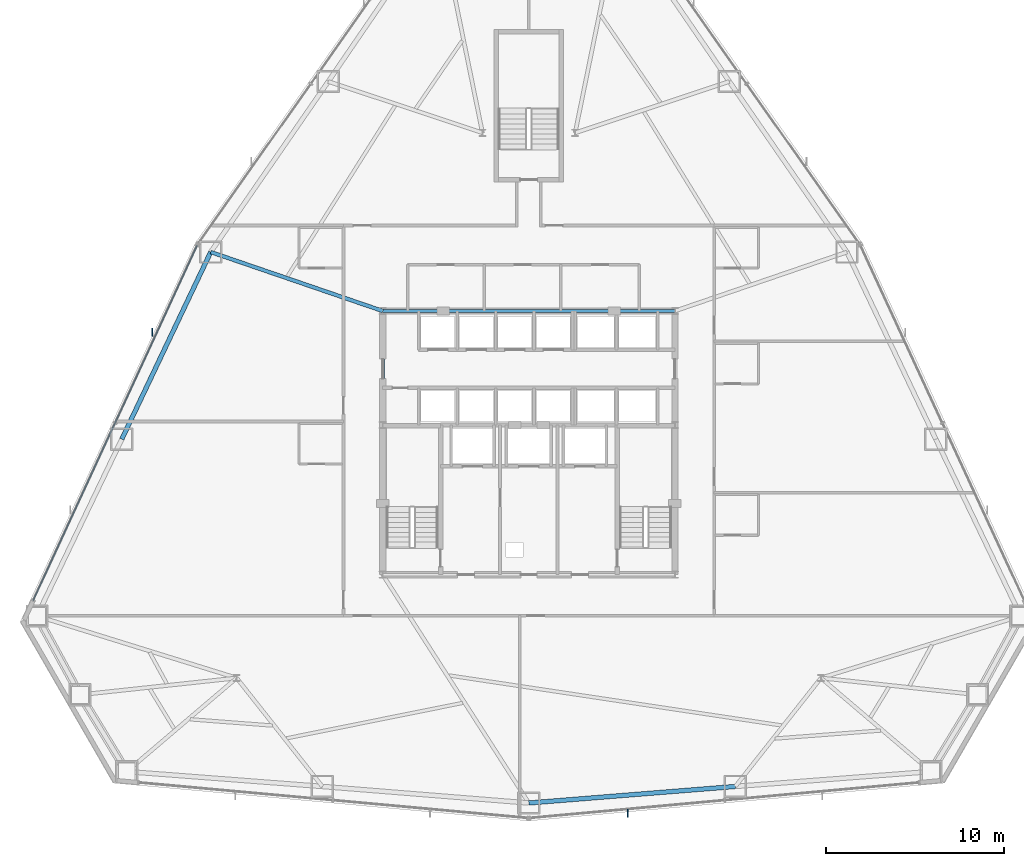
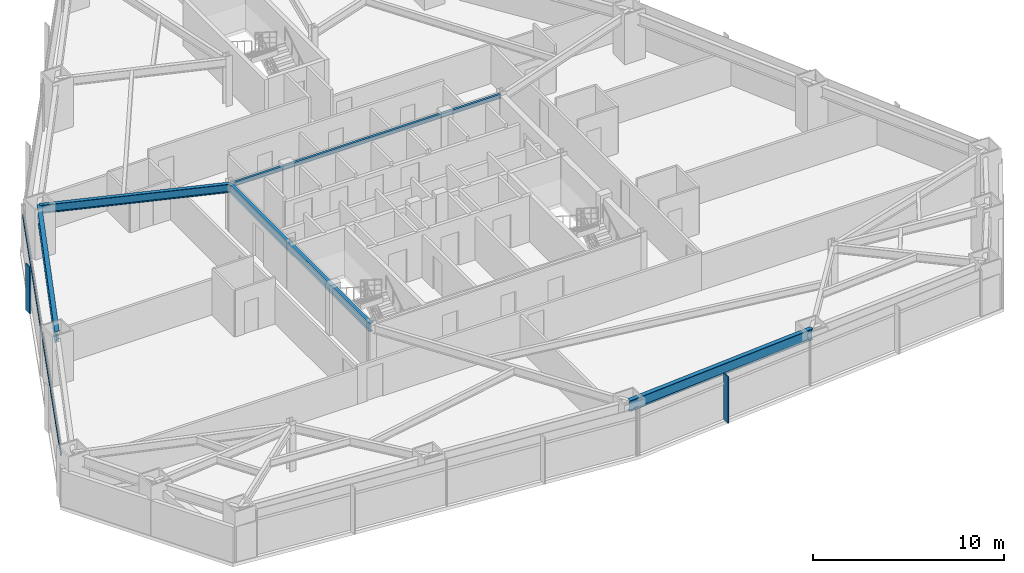
# One storey, part 5 of 12: 5 beams, 3 members, 2 elements without a shape of their own.
"""IFC4 building model written with IfcOpenShell, lengths in metres."""

from ifc_helpers import new_model, si_unit, direction, frame, origin, origin_2d, place, context, subcontext, project, spatial, rectangle, i_section, extrude, source, transform, mapped, material, layer, layer_set, material_profile, profile_set, type_object, type_shapes, element, aggregate, save


model = new_model("IFC4")

# Units and contexts
model_context = context("Model", 3, precision=1e-05, world=origin(), true_north=direction((0.0, 1.0)))
body_context = subcontext(model_context, "Body", "Model", "MODEL_VIEW")
ifc_project = project(units=[si_unit("LENGTHUNIT", "METRE"), si_unit("AREAUNIT", "SQUARE_METRE"), si_unit("VOLUMEUNIT", "CUBIC_METRE"), si_unit("PLANEANGLEUNIT", "RADIAN"), si_unit("MASSUNIT", "GRAM", prefix="KILO")], contexts=[model_context])

# Site, building, storey
site_placement = place(None, origin())
site = spatial("IfcSite", under=ifc_project, at=site_placement, CompositionType="ELEMENT")
building_placement = place(site_placement, origin())
building = spatial("IfcBuilding", under=site, at=building_placement, Name="Varakhsha Concourse Tower", CompositionType="ELEMENT")
storey_placement = place(building_placement, frame((0.0, 0.0, 40.0)))
storey = spatial("IfcBuildingStorey", under=building, at=storey_placement, Name="L10", CompositionType="ELEMENT", Elevation=40.0)

# Beams
ifc_material_1 = material(Name="Structural Steel ASTM A992 Grade 50", Category="steel")
ifc_material_profile_1 = material_profile(ifc_material_1, i_section(OverallWidth=0.14697265625, OverallDepth=0.261962890625, WebThickness=0.007080078125, FlangeThickness=0.010986328125, at=origin_2d()), Name="W10X26")
ifc_profile_set_1 = profile_set([ifc_material_profile_1], Name="Structural Steel ASTM A992 Grade 50")
beam_type_1 = type_object("IfcBeamType", Name="BM-LNTL-W10X26", PredefinedType="LINTEL", material=ifc_profile_set_1)
beam_1_placement = place(storey_placement, frame((31.800048828125, 31.199951171875, 2.84912109375), z_axis=(1.0, 0.0, 0.0), x_axis=(0.0, 1.0, 0.0)))
element("IfcBeam", 1, at=beam_1_placement, inside=storey, type_object=beam_type_1, Name="BM-TCORE-L10-CN", PredefinedType="LINTEL", context=body_context, shape_type="SweptSolid", body=[
    extrude(i_section(OverallWidth=0.14697265625, OverallDepth=0.261962890625, WebThickness=0.007080078125, FlangeThickness=0.010986328125, at=origin_2d()), origin(), (0.0, 0.0, 1.0), 16.39990234375),
])
ifc_material_profile_2 = material_profile(ifc_material_1, i_section(OverallWidth=0.2109375, OverallDepth=0.5390625, WebThickness=0.011962890625, FlangeThickness=0.01904296875, at=origin_2d()), Name="W21X73")
ifc_profile_set_2 = profile_set([ifc_material_profile_2], Name="Structural Steel ASTM A992 Grade 50")
beam_type_2 = type_object("IfcBeamType", Name="BM-RAD-W21X73", PredefinedType="BEAM", material=ifc_profile_set_2)
beam_2_placement = place(storey_placement, frame((31.800048828125, 16.39990234375, 2.71044921875), z_axis=(0.0, 1.0, 0.0), x_axis=(-1.0, 0.0, 0.0)))
element("IfcBeam", 2, at=beam_2_placement, inside=storey, type_object=beam_type_2, Name="BM-TCORE-L10-CW", PredefinedType="BEAM", context=body_context, shape_type="SweptSolid", body=[
    extrude(i_section(OverallWidth=0.2109375, OverallDepth=0.5390625, WebThickness=0.011962890625, FlangeThickness=0.01904296875, at=origin_2d()), origin(), (0.0, 0.0, 1.0), 14.800048828125),
])
beam_3_placement = place(storey_placement, frame((31.800048828125, 31.199951171875, 2.71044921875), z_axis=(-0.945992273848, 0.324189169805, 0.0), x_axis=(-0.324189169805, -0.945992273848, 0.0)))
element("IfcBeam", 3, at=beam_3_placement, inside=storey, type_object=beam_type_2, Name="L10 Radial Floor Girder 05", PredefinedType="BEAM", context=body_context, shape_type="SweptSolid", body=[
    extrude(i_section(OverallWidth=0.2109375, OverallDepth=0.5390625, WebThickness=0.011962890625, FlangeThickness=0.01904296875, at=origin_2d()), origin(), (0.0, 0.0, 1.0), 10.20654296875),
])
ifc_material_profile_3 = material_profile(ifc_material_1, i_section(OverallWidth=0.25390625, OverallDepth=0.701904296875, WebThickness=0.014892578125, FlangeThickness=0.028076171875, at=origin_2d()), Name="W27X129")
ifc_profile_set_3 = profile_set([ifc_material_profile_3], Name="Structural Steel ASTM A992 Grade 50")
beam_type_3 = type_object("IfcBeamType", Name="BM-SPAN-W27X129", PredefinedType="SPANDREL", material=ifc_profile_set_3)
for number, where, z_axis, x_axis, name in (
    (4, (22.144775390625, 34.5087890625, 2.62890625), (-0.429213950227, -0.903202848164, 0.0), (0.903202848164, -0.429213950227, 0.0), "BM-SPAN-L10-05"),
    (5, (40.0, 3.58251953125, 2.62890625), (0.996803386739, 0.079893730572, 0.0), (-0.079893730572, 0.996803386739, 0.0), "BM-SPAN-L10-11"),
):
    element("IfcBeam", number, at=place(storey_placement, frame(where, z_axis=z_axis, x_axis=x_axis)), inside=storey, type_object=beam_type_3, Name=name, PredefinedType="SPANDREL", context=body_context, shape_type="SweptSolid", body=[
        extrude(i_section(OverallWidth=0.25390625, OverallDepth=0.701904296875, WebThickness=0.014892578125, FlangeThickness=0.028076171875, at=origin_2d()), origin(), (0.0, 0.0, 1.0), 11.63037109375),
    ])

# Curtain wall, member
ifc_material_2 = material(Name="Anodised Bronze Architectural Aluminium AA 6063-T6", Category="aluminium")
ifc_layer = layer(ifc_material_2, 0.219970703125, Name="CW-SYS-02")
ifc_layer_set = layer_set([ifc_layer], Name="Anodised Bronze Architectural Aluminium AA 6063-T6")
curtain_wall_type = type_object("IfcCurtainWallType", Name="CW-SYS-02", PredefinedType="NOTDEFINED", material=ifc_layer_set)
curtain_wall_1_placement = place(storey_placement, origin())
curtain_wall_1 = element("IfcCurtainWall", 6, at=curtain_wall_1_placement, inside=storey, type_object=curtain_wall_type, Name="L10 Crystal Curtain Wall F3", PredefinedType="NOTDEFINED")
ifc_material_profile_4 = material_profile(ifc_material_2, rectangle(XDim=0.06494140625, YDim=0.449951171875, at=origin_2d()), Name="FIN-BRZ-450")
ifc_profile_set_4 = profile_set([ifc_material_profile_4], Name="Anodised Bronze Architectural Aluminium AA 6063-T6")
member_type_1 = type_object("IfcMemberType", Name="FIN-BRZ-450", PredefinedType="USERDEFINED", material=ifc_profile_set_4)
shared_shape_1 = source(origin(), body_context, "Body", "SweptSolid", [
    extrude(rectangle(XDim=0.06494140625, YDim=0.449951171875, at=origin_2d()), origin(), (0.0, 0.0, 1.0), 2.97998046875),
])
type_shapes(member_type_1, [shared_shape_1])
member_1_placement = place(storey_placement, frame((18.8623046875, 29.9951171875, 0.0), z_axis=(0.0, 0.0, 1.0), x_axis=(1.0, 0.0, 0.0)))
member_1 = element("IfcMember", 7, at=member_1_placement, type_object=member_type_1, Name="L10 Anodised Bronze Solar Fin F3-2", ObjectType="SOLAR FIN", PredefinedType="USERDEFINED", context=body_context, shape_type="MappedRepresentation", body=[
    mapped(shared_shape_1, transform((0.0, 0.0, 0.0), scale=1.0)),
])

curtain_wall_2_placement = place(storey_placement, origin())
curtain_wall_2 = element("IfcCurtainWall", 8, at=curtain_wall_2_placement, inside=storey, type_object=curtain_wall_type, Name="L10 Crystal Curtain Wall F6", PredefinedType="NOTDEFINED")
member_2_placement = place(storey_placement, frame((45.550048828125, 2.99658203125, 0.0), z_axis=(0.0, 0.0, 1.0), x_axis=(1.0, 0.0, 0.0)))
member_2 = element("IfcMember", 9, at=member_2_placement, type_object=member_type_1, Name="L10 Anodised Bronze Solar Fin F6-2", ObjectType="SOLAR FIN", PredefinedType="USERDEFINED", context=body_context, shape_type="MappedRepresentation", body=[
    mapped(shared_shape_1, transform((0.0, 0.0, 0.0), scale=1.0)),
])
aggregate(curtain_wall_2, [member_2])

# Member
ifc_material_profile_5 = material_profile(ifc_material_2, rectangle(XDim=0.06494140625, YDim=0.159912109375, at=origin_2d()), Name="CWT-160X65")
ifc_profile_set_5 = profile_set([ifc_material_profile_5], Name="Anodised Bronze Architectural Aluminium AA 6063-T6")
member_type_2 = type_object("IfcMemberType", Name="CWT-160X65", PredefinedType="USERDEFINED", material=ifc_profile_set_5)
shared_shape_2 = source(origin(), body_context, "Body", "SweptSolid", [
    extrude(rectangle(XDim=0.06494140625, YDim=0.159912109375, at=origin_2d()), origin(), (0.0, 0.0, 1.0), 21.943359375),
])
type_shapes(member_type_2, [shared_shape_2])
member_3_placement = place(storey_placement, frame((12.179931640625, 14.953369140625, 2.330078125), z_axis=(0.419268418601, 0.907862320599, 0.0), x_axis=(-0.907862320599, 0.419268418601, 0.0)))
member_3 = element("IfcMember", 10, at=member_3_placement, type_object=member_type_2, Name="CW-L10-F3 Transom 01", ObjectType="TRANSOM", PredefinedType="USERDEFINED", context=body_context, shape_type="MappedRepresentation", body=[
    mapped(shared_shape_2, transform((0.0, 0.0, 0.0), scale=1.0)),
])

aggregate(curtain_wall_1, [member_3, member_1])

save(model, "model.ifc")
